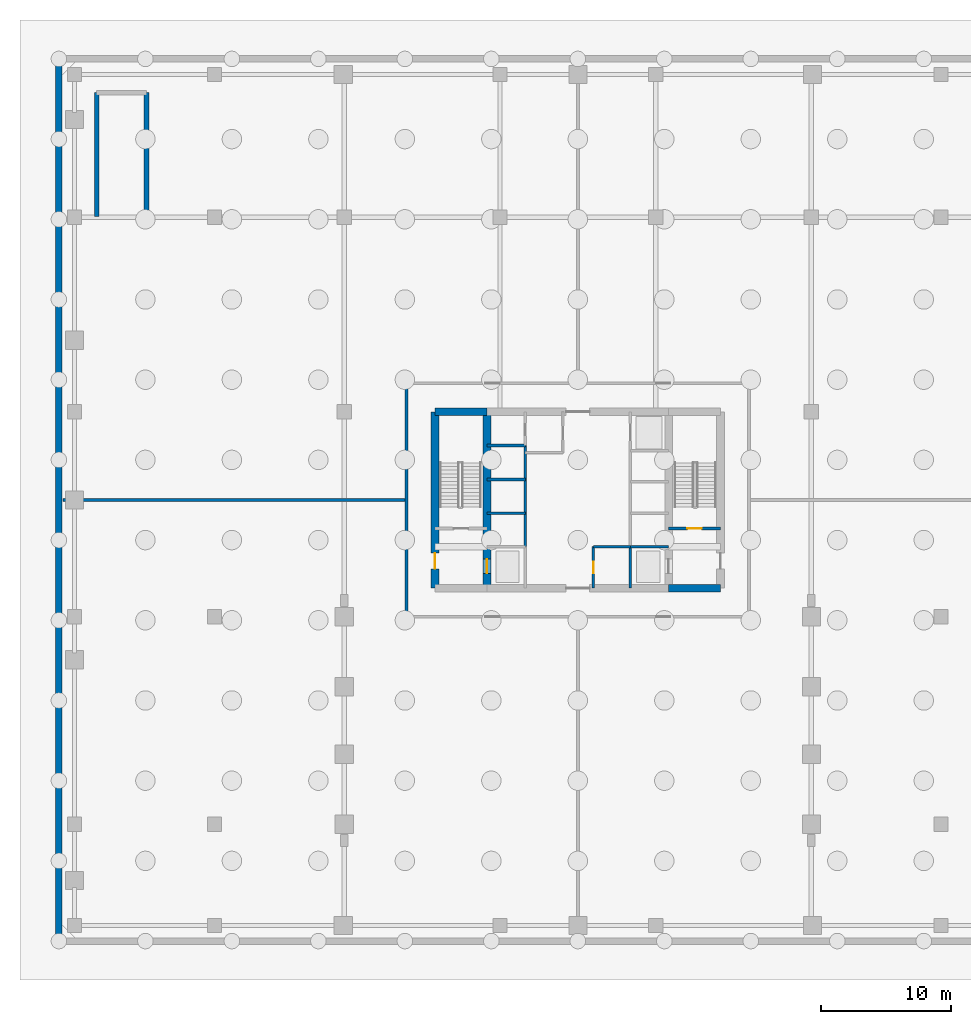
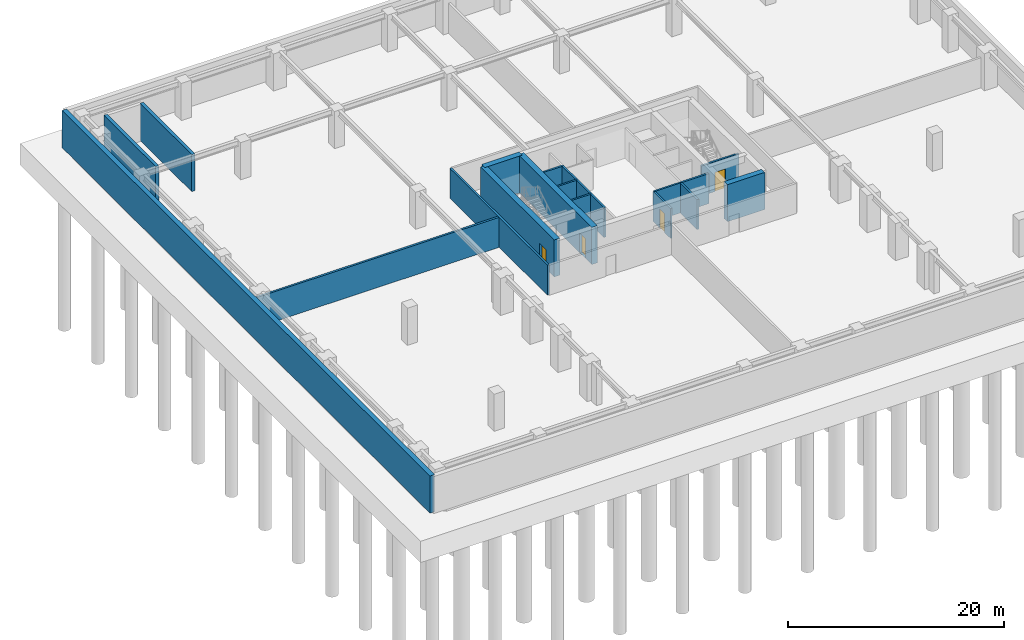
# One storey, part 4 of 8: 18 walls, 4 doors, 4 openings.
"""IFC4 building model written with IfcOpenShell, lengths in metres."""

from ifc_helpers import new_model, si_unit, direction, frame, frame_2d, origin, place, context, subcontext, project, spatial, rectangle, extrude, material, layer, layer_set, type_object, element, fill, save


model = new_model("IFC4")

# Units and contexts
model_context = context("Model", 3, precision=1e-05, world=origin(), true_north=direction((0.0, 1.0)))
body_context = subcontext(model_context, "Body", "Model", "MODEL_VIEW")
ifc_project = project(units=[si_unit("LENGTHUNIT", "METRE"), si_unit("AREAUNIT", "SQUARE_METRE"), si_unit("VOLUMEUNIT", "CUBIC_METRE"), si_unit("PLANEANGLEUNIT", "RADIAN"), si_unit("MASSUNIT", "GRAM", prefix="KILO")], contexts=[model_context])

# Site, building, storey
site_placement = place(None, origin())
site = spatial("IfcSite", under=ifc_project, at=site_placement, CompositionType="ELEMENT")
building_placement = place(site_placement, origin())
building = spatial("IfcBuilding", under=site, at=building_placement, Name="Sarneth Arch Tower", CompositionType="ELEMENT")
storey_placement = place(building_placement, frame((0.0, 0.0, -9.0)))
storey = spatial("IfcBuildingStorey", under=building, at=storey_placement, Name="B02", CompositionType="ELEMENT", Elevation=-9.0)

# Walls
ifc_material_1 = material(Name="Concrete C50/60", Category="concrete")
ifc_layer_1 = layer(ifc_material_1, 0.35009765625)
ifc_layer_set_1 = layer_set([ifc_layer_1], Name="Concrete C50/60")
wall_type_1 = type_object("IfcWallType", Name="WALL-CORE-350", PredefinedType="SHEAR", material=ifc_layer_set_1)
for number, where, z_axis, x_axis, name in (
    (1, (10.89990234375, 63.85009765625, 0.0), (0.0, 0.0, 1.0), (0.0, 1.0, 0.0), "B02 Podium stair core wall STP1-W"),
    (2, (14.75, 63.85009765625, 0.0), (0.0, 0.0, 1.0), (0.0, 1.0, 0.0), "B02 Podium stair core wall STP1-E"),
):
    element("IfcWall", number, at=place(storey_placement, frame(where, z_axis=z_axis, x_axis=x_axis)), inside=storey, type_object=wall_type_1, Name=name, PredefinedType="SHEAR", context=body_context, shape_type="SweptSolid", body=[
        extrude(rectangle(XDim=9.5498046875, YDim=0.35009765625, at=frame_2d((4.77490234375, 0.0))), origin(), (0.0, 0.0, 1.0), 4.179931640625),
    ])
ifc_material_2 = material(Name="Concrete C60/75", Category="concrete")
ifc_layer_2 = layer(ifc_material_2, 0.60009765625)
ifc_layer_set_2 = layer_set([ifc_layer_2], Name="Concrete C60/75")
wall_type_2 = type_object("IfcWallType", Name="WALL-CORE-600", PredefinedType="SHEAR", material=ifc_layer_set_2)
for number, where, z_axis, x_axis, name in (
    (3, (55.0, 35.199951171875, 0.0), (0.0, 0.0, 1.0), (1.0, 0.0, 0.0), "B02 Core shear wall S-E"),
    (4, (37.0, 48.800048828125, 0.0), (0.0, 0.0, 1.0), (1.0, 0.0, 0.0), "B02 Core shear wall N-W"),
):
    element("IfcWall", number, at=place(storey_placement, frame(where, z_axis=z_axis, x_axis=x_axis)), inside=storey, type_object=wall_type_2, Name=name, PredefinedType="SHEAR", context=body_context, shape_type="SweptSolid", body=[
        extrude(rectangle(XDim=4.0, YDim=0.60009765625, at=frame_2d((2.0, 0.0))), origin(), (0.0, 0.0, 1.0), 4.179931640625),
    ])

# Wall, opening, door
wall_1_placement = place(storey_placement, frame((37.0, 35.199951171875, 0.0), z_axis=(0.0, 0.0, 1.0), x_axis=(0.0, 1.0, 0.0)))
wall_1 = element("IfcWall", 5, at=wall_1_placement, inside=storey, type_object=wall_type_2, Name="B02 Core shear wall W", PredefinedType="SHEAR", context=body_context, shape_type="SweptSolid", body=[
    extrude(rectangle(XDim=13.60009765625, YDim=0.60009765625, at=frame_2d((6.800048828125, 0.0))), origin(), (0.0, 0.0, 1.0), 4.179931640625),
])
opening_1_placement = place(wall_1_placement, frame((1.5, 0.0, 0.0)))
opening_1 = element("IfcOpeningElement", 6, at=opening_1_placement, cuts=wall_1, Name="Opening FD-02", PredefinedType="OPENING", context=body_context, shape_type="SweptSolid", body=[
    extrude(rectangle(XDim=1.199951171875, YDim=2.14990234375, at=frame_2d((0.60009765625, 1.074951171875))), frame((0.0, 0.31005859375, 0.0), z_axis=(0.0, -1.0, 0.0), x_axis=(1.0, 0.0, 0.0)), (0.0, 0.0, 1.0), 0.6201171875),
])
ifc_material_3 = material(Name="Galvanised Steel S275 fire door set", Category="steel")
door_type_1 = type_object("IfcDoorType", Name="DR-FD90-1200", OperationType="SINGLE_SWING_LEFT", PredefinedType="DOOR", material=ifc_material_3)
door_1_placement = place(opening_1_placement, origin())
door_1 = element("IfcDoor", 7, at=door_1_placement, inside=storey, type_object=door_type_1, Name="B02 Firefighting lobby 1 exit door", OperationType="SINGLE_SWING_LEFT", OverallHeight=2.14990234375, OverallWidth=1.199951171875, PredefinedType="DOOR", context=body_context, shape_type="SweptSolid", body=[
    extrude(rectangle(XDim=1.199951171875, YDim=2.14990234375, at=frame_2d((0.60009765625, 1.074951171875))), frame((0.0, 0.02490234375, 0.0), z_axis=(0.0, -1.0, 0.0), x_axis=(1.0, 0.0, 0.0)), (0.0, 0.0, 1.0), 0.050048828125),
])
fill(opening_1, door_1)

wall_2_placement = place(storey_placement, frame((41.0, 35.199951171875, 0.0), z_axis=(0.0, 0.0, 1.0), x_axis=(0.0, 1.0, 0.0)))
wall_2 = element("IfcWall", 8, at=wall_2_placement, inside=storey, type_object=wall_type_2, Name="B02 Core shear wall WEB-W", PredefinedType="SHEAR", context=body_context, shape_type="SweptSolid", body=[
    extrude(rectangle(XDim=13.60009765625, YDim=0.60009765625, at=frame_2d((6.800048828125, 0.0))), origin(), (0.0, 0.0, 1.0), 4.179931640625),
])
opening_2_placement = place(wall_2_placement, frame((1.14990234375, 0.0, 0.0)))
opening_2 = element("IfcOpeningElement", 9, at=opening_2_placement, cuts=wall_2, Name="Opening LD-1", PredefinedType="OPENING", context=body_context, shape_type="SweptSolid", body=[
    extrude(rectangle(XDim=1.10009765625, YDim=2.199951171875, at=frame_2d((0.550048828125, 1.10009765625))), frame((0.0, 0.31005859375, 0.0), z_axis=(0.0, -1.0, 0.0), x_axis=(1.0, 0.0, 0.0)), (0.0, 0.0, 1.0), 0.6201171875),
])
ifc_material_4 = material(Name="Brushed Stainless Steel 304 lift landing door", Category="steel")
door_type_2 = type_object("IfcDoorType", Name="DR-LIFT-SLIDE-1100", OperationType="SLIDING_TO_LEFT", PredefinedType="DOOR", material=ifc_material_4)
door_2_placement = place(opening_2_placement, origin())
door_2 = element("IfcDoor", 10, at=door_2_placement, inside=storey, type_object=door_type_2, Name="B02 Firefighting lift landing door FL-1", OperationType="SLIDING_TO_LEFT", OverallHeight=2.199951171875, OverallWidth=1.10009765625, PredefinedType="DOOR", context=body_context, shape_type="SweptSolid", body=[
    extrude(rectangle(XDim=1.10009765625, YDim=2.199951171875, at=frame_2d((0.550048828125, 1.10009765625))), frame((0.0, 0.02490234375, 0.0), z_axis=(0.0, -1.0, 0.0), x_axis=(1.0, 0.0, 0.0)), (0.0, 0.0, 1.0), 0.050048828125),
])
fill(opening_2, door_2)

# Walls
ifc_material_5 = material(Name="Aerated concrete blockwork C25/30", Category="masonry")
ifc_layer_3 = layer(ifc_material_5, 0.219970703125)
ifc_layer_set_3 = layer_set([ifc_layer_3], Name="Aerated concrete blockwork C25/30")
wall_type_3 = type_object("IfcWallType", Name="WALL-FIRE-220", PredefinedType="SOLIDWALL", material=ifc_layer_set_3)
wall_3_placement = place(storey_placement, frame((34.800048828125, 42.0, 0.0), z_axis=(0.0, 0.0, 1.0), x_axis=(-1.0, 0.0, 0.0)))
element("IfcWall", 11, at=wall_3_placement, inside=storey, type_object=wall_type_3, Name="B02 Interior partition W-B02-TP-011", PredefinedType="SOLIDWALL", context=body_context, shape_type="SweptSolid", body=[
    extrude(rectangle(XDim=26.5, YDim=0.219970703125, at=frame_2d((13.25, 0.0))), origin(), (0.0, 0.0, 1.0), 3.3798828125),
])
wall_4_placement = place(storey_placement, frame((34.800048828125, 33.0, 0.0), z_axis=(0.0, 0.0, 1.0), x_axis=(0.0, 1.0, 0.0)))
element("IfcWall", 12, at=wall_4_placement, inside=storey, type_object=wall_type_3, Name="B02 Interior partition W-B02-TP-003", PredefinedType="SOLIDWALL", context=body_context, shape_type="SweptSolid", body=[
    extrude(rectangle(XDim=18.0, YDim=0.219970703125, at=frame_2d((9.0, 0.0))), origin(), (0.0, 0.0, 1.0), 3.3798828125),
])
ifc_material_6 = material(Name="Moisture-resistant plumbing chase wall", Category="gypsum")
ifc_layer_4 = layer(ifc_material_6, 0.179931640625)
ifc_layer_set_4 = layer_set([ifc_layer_4], Name="Moisture-resistant plumbing chase wall")
wall_type_4 = type_object("IfcWallType", Name="WALL-PLUMB-180", PredefinedType="PLUMBINGWALL", material=ifc_layer_set_4)
wall_5_placement = place(storey_placement, frame((49.199951171875, 38.39990234375, 0.0), z_axis=(0.0, 0.0, 1.0), x_axis=(1.0, 0.0, 0.0)))
element("IfcWall", 13, at=wall_5_placement, inside=storey, type_object=wall_type_4, Name="B02 Interior partition W-B02-AWC-N", PredefinedType="PLUMBINGWALL", context=body_context, shape_type="SweptSolid", body=[
    extrude(rectangle(XDim=2.85009765625, YDim=0.179931640625, at=frame_2d((1.425048828125, 0.0))), origin(), (0.0, 0.0, 1.0), 3.3798828125),
])

# Wall, opening, door
wall_6_placement = place(storey_placement, frame((49.199951171875, 35.199951171875, 0.0), z_axis=(0.0, 0.0, 1.0), x_axis=(0.0, 1.0, 0.0)))
wall_6 = element("IfcWall", 14, at=wall_6_placement, inside=storey, type_object=wall_type_4, Name="B02 Interior partition W-B02-AWC-W", PredefinedType="PLUMBINGWALL", context=body_context, shape_type="SweptSolid", body=[
    extrude(rectangle(XDim=3.199951171875, YDim=0.179931640625, at=frame_2d((1.60009765625, 0.0))), origin(), (0.0, 0.0, 1.0), 3.3798828125),
])
opening_3_placement = place(wall_6_placement, frame((1.14990234375, 0.0, 0.0)))
opening_3 = element("IfcOpeningElement", 15, at=opening_3_placement, cuts=wall_6, Name="Opening ID-01", PredefinedType="OPENING", context=body_context, shape_type="SweptSolid", body=[
    extrude(rectangle(XDim=0.89990234375, YDim=2.10009765625, at=frame_2d((0.449951171875, 1.050048828125))), frame((0.0, 0.099853515625, 0.0), z_axis=(0.0, -1.0, 0.0), x_axis=(1.0, 0.0, 0.0)), (0.0, 0.0, 1.0), 0.199951171875),
])
ifc_material_7 = material(Name="Engineered hardwood flush door", Category="wood")
door_type_3 = type_object("IfcDoorType", Name="DR-INT-900", OperationType="SINGLE_SWING_LEFT", PredefinedType="DOOR", material=ifc_material_7)
door_3_placement = place(opening_3_placement, origin())
door_3 = element("IfcDoor", 16, at=door_3_placement, inside=storey, type_object=door_type_3, Name="B02 Interior door DR-B02-AWC", OperationType="SINGLE_SWING_RIGHT", OverallHeight=2.10009765625, OverallWidth=0.89990234375, PredefinedType="DOOR", context=body_context, shape_type="SweptSolid", body=[
    extrude(rectangle(XDim=0.89990234375, YDim=2.10009765625, at=frame_2d((0.449951171875, 1.050048828125))), frame((0.0, 0.02490234375, 0.0), z_axis=(0.0, -1.0, 0.0), x_axis=(1.0, 0.0, 0.0)), (0.0, 0.0, 1.0), 0.050048828125),
])
fill(opening_3, door_3)

# Wall
ifc_material_8 = material(Name="Concrete C50/60", Category="concrete")
ifc_layer_5 = layer(ifc_material_8, 0.5)
ifc_layer_set_5 = layer_set([ifc_layer_5], Name="Concrete C50/60")
wall_type_5 = type_object("IfcWallType", Name="WALL-RET-500", PredefinedType="SOLIDWALL", material=ifc_layer_set_5)
wall_7_placement = place(storey_placement, frame((8.0, 76.0, 0.0), z_axis=(0.0, 0.0, 1.0), x_axis=(0.0, -1.0, 0.0)))
element("IfcWall", 17, at=wall_7_placement, inside=storey, type_object=wall_type_5, Name="B02 Basement retaining wall W", PredefinedType="SOLIDWALL", context=body_context, shape_type="SweptSolid", body=[
    extrude(rectangle(XDim=68.0, YDim=0.5, at=frame_2d((34.0, 0.0))), origin(), (0.0, 0.0, 1.0), 4.179931640625),
])

# Wall, opening, door
ifc_material_9 = material(Name="Aerated concrete blockwork C25/30", Category="masonry")
ifc_layer_6 = layer(ifc_material_9, 0.199951171875)
ifc_layer_set_6 = layer_set([ifc_layer_6], Name="Aerated concrete blockwork C25/30")
wall_type_6 = type_object("IfcWallType", Name="WALL-SHAFT-200", PredefinedType="SOLIDWALL", material=ifc_layer_set_6)
wall_8_placement = place(storey_placement, frame((55.0, 39.800048828125, 0.0), z_axis=(0.0, 0.0, 1.0), x_axis=(1.0, 0.0, 0.0)))
wall_8 = element("IfcWall", 18, at=wall_8_placement, inside=storey, type_object=wall_type_6, Name="B02 Interior partition W-B02-ST2-S", PredefinedType="SOLIDWALL", context=body_context, shape_type="SweptSolid", body=[
    extrude(rectangle(XDim=4.0, YDim=0.199951171875, at=frame_2d((2.0, 0.0))), origin(), (0.0, 0.0, 1.0), 3.3798828125),
])
opening_4_placement = place(wall_8_placement, frame((1.449951171875, 0.0, 0.0)))
opening_4 = element("IfcOpeningElement", 19, at=opening_4_placement, cuts=wall_8, Name="Opening FD-03", PredefinedType="OPENING", context=body_context, shape_type="SweptSolid", body=[
    extrude(rectangle(XDim=1.10009765625, YDim=2.14990234375, at=frame_2d((0.550048828125, 1.074951171875))), frame((0.0, 0.10986328125, 0.0), z_axis=(0.0, -1.0, 0.0), x_axis=(1.0, 0.0, 0.0)), (0.0, 0.0, 1.0), 0.219970703125),
])
ifc_material_10 = material(Name="Galvanised Steel S275 fire door set", Category="steel")
door_type_4 = type_object("IfcDoorType", Name="DR-FD90-1100", OperationType="SINGLE_SWING_LEFT", PredefinedType="DOOR", material=ifc_material_10)
door_4_placement = place(opening_4_placement, origin())
door_4 = element("IfcDoor", 20, at=door_4_placement, inside=storey, type_object=door_type_4, Name="B02 Interior door DR-B02-ST2", OperationType="SINGLE_SWING_RIGHT", OverallHeight=2.14990234375, OverallWidth=1.10009765625, PredefinedType="DOOR", context=body_context, shape_type="SweptSolid", body=[
    extrude(rectangle(XDim=1.10009765625, YDim=2.14990234375, at=frame_2d((0.550048828125, 1.074951171875))), frame((0.0, 0.02490234375, 0.0), z_axis=(0.0, -1.0, 0.0), x_axis=(1.0, 0.0, 0.0)), (0.0, 0.0, 1.0), 0.050048828125),
])
fill(opening_4, door_4)

# Walls
wall_9_placement = place(storey_placement, frame((52.050048828125, 35.199951171875, 0.0), z_axis=(0.0, 0.0, 1.0), x_axis=(0.0, 1.0, 0.0)))
element("IfcWall", 21, at=wall_9_placement, inside=storey, type_object=wall_type_6, Name="B02 Interior partition W-B02-FL2-W", PredefinedType="SOLIDWALL", context=body_context, shape_type="SweptSolid", body=[
    extrude(rectangle(XDim=3.199951171875, YDim=0.199951171875, at=frame_2d((1.60009765625, 0.0))), origin(), (0.0, 0.0, 1.0), 3.3798828125),
])
for number, where, z_axis, x_axis, name in (
    (22, (52.050048828125, 38.39990234375, 0.0), (0.0, 0.0, 1.0), (1.0, 0.0, 0.0), "B02 Interior partition W-B02-FL2-N"),
    (23, (41.0, 46.199951171875, 0.0), (0.0, 0.0, 1.0), (1.0, 0.0, 0.0), "B02 Interior partition W-B02-RISER-S"),
):
    element("IfcWall", number, at=place(storey_placement, frame(where, z_axis=z_axis, x_axis=x_axis)), inside=storey, type_object=wall_type_6, Name=name, PredefinedType="SOLIDWALL", context=body_context, shape_type="SweptSolid", body=[
        extrude(rectangle(XDim=2.949951171875, YDim=0.199951171875, at=frame_2d((1.47509765625, 0.0))), origin(), (0.0, 0.0, 1.0), 3.3798828125),
    ])
wall_10_placement = place(storey_placement, frame((43.949951171875, 38.39990234375, 0.0), z_axis=(0.0, 0.0, 1.0), x_axis=(0.0, 1.0, 0.0)))
element("IfcWall", 24, at=wall_10_placement, inside=storey, type_object=wall_type_6, Name="B02 Interior partition W-B02-WESTBANK-FRONT", PredefinedType="SOLIDWALL", context=body_context, shape_type="SweptSolid", body=[
    extrude(rectangle(XDim=7.800048828125, YDim=0.199951171875, at=frame_2d((3.89990234375, 0.0))), origin(), (0.0, 0.0, 1.0), 3.3798828125),
])
for number, where, z_axis, x_axis, name in (
    (25, (41.0, 40.97998046875, 0.0), (0.0, 0.0, 1.0), (1.0, 0.0, 0.0), "B02 Interior partition W-B02-WB-DIV-4098"),
    (26, (41.0, 43.580078125, 0.0), (0.0, 0.0, 1.0), (1.0, 0.0, 0.0), "B02 Interior partition W-B02-WB-DIV-4358"),
):
    element("IfcWall", number, at=place(storey_placement, frame(where, z_axis=z_axis, x_axis=x_axis)), inside=storey, type_object=wall_type_6, Name=name, PredefinedType="SOLIDWALL", context=body_context, shape_type="SweptSolid", body=[
        extrude(rectangle(XDim=2.949951171875, YDim=0.199951171875, at=frame_2d((1.47509765625, 0.0))), origin(), (0.0, 0.0, 1.0), 3.3798828125),
    ])

save(model, "model.ifc")
